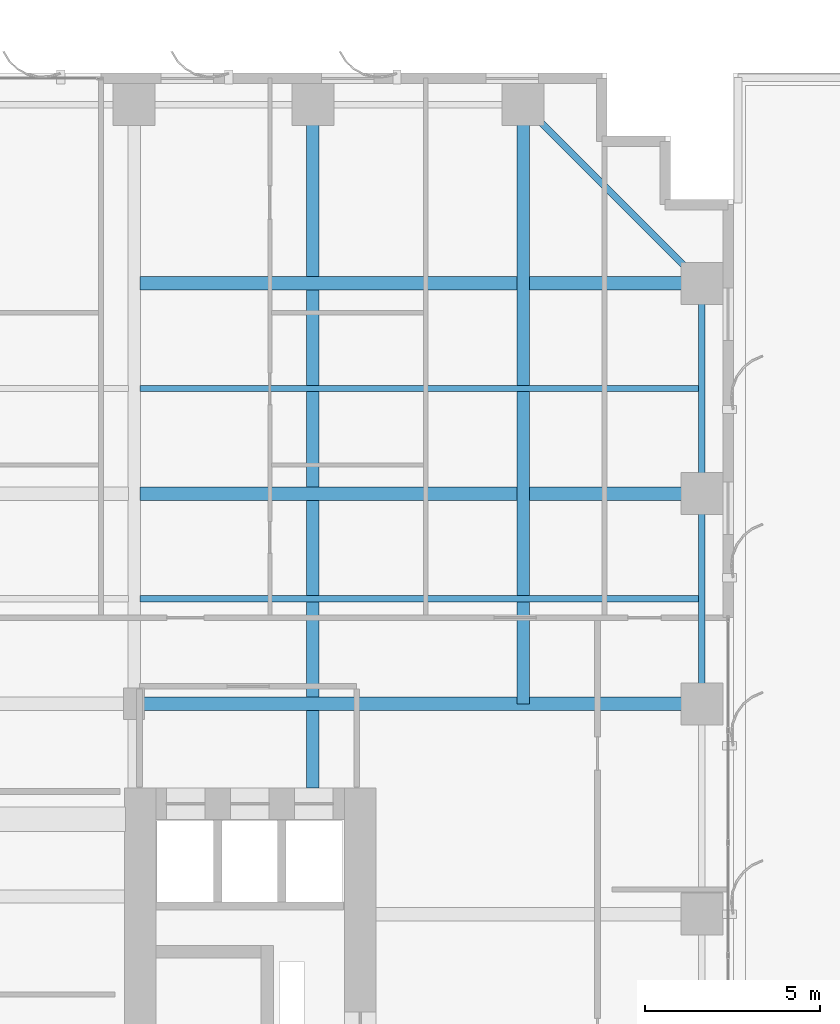
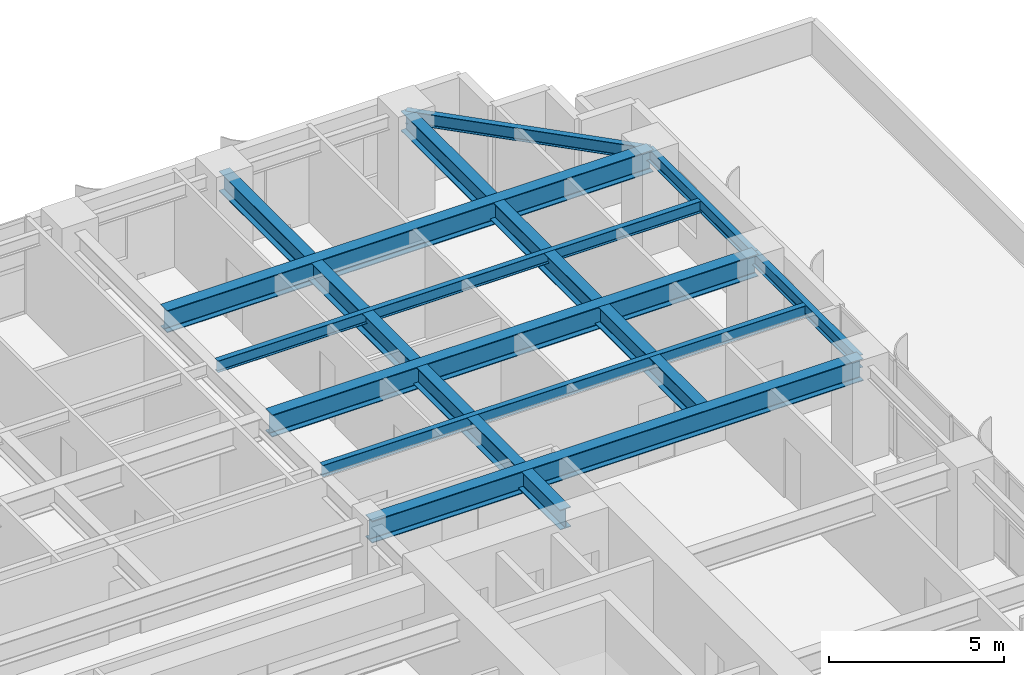
# One storey, part 8 of 21: 10 beams.
"""IFC4 building model written with IfcOpenShell, lengths in metres."""

from ifc_helpers import new_model, si_unit, direction, frame, origin, origin_2d, place, context, subcontext, project, spatial, i_section, extrude, source, transform, mapped, material, material_profile, profile_set, type_object, element, save


model = new_model("IFC4")

# Units and contexts
model_context = context("Model", 3, precision=1e-05, world=origin(), true_north=direction((0.0, 1.0)))
body_context = subcontext(model_context, "Body", "Model", "MODEL_VIEW")
ifc_project = project(units=[si_unit("LENGTHUNIT", "METRE"), si_unit("AREAUNIT", "SQUARE_METRE"), si_unit("VOLUMEUNIT", "CUBIC_METRE"), si_unit("PLANEANGLEUNIT", "RADIAN"), si_unit("MASSUNIT", "GRAM", prefix="KILO")], contexts=[model_context])

# Site, building, storey
site_placement = place(None, origin())
site = spatial("IfcSite", under=ifc_project, at=site_placement, CompositionType="ELEMENT")
building_placement = place(site_placement, origin())
building = spatial("IfcBuilding", under=site, at=building_placement, Name="Khoralis Quay Care Tower", CompositionType="ELEMENT")
storey_placement = place(building_placement, frame((0.0, 0.0, 22.5)))
storey = spatial("IfcBuildingStorey", under=building, at=storey_placement, Name="L05", CompositionType="ELEMENT", Elevation=22.5)

# Beams
ifc_material = material(Name="Steel S355", Category="steel")
ifc_material_profile_1 = material_profile(ifc_material, i_section(OverallWidth=0.18994140625, OverallDepth=0.449951171875, WebThickness=0.009521484375, FlangeThickness=0.0146484375, FilletRadius=0.02099609375, at=origin_2d()), Name="Steel S355")
ifc_profile_set_1 = profile_set([ifc_material_profile_1], Name="Steel S355")
beam_type_1 = type_object("IfcBeamType", Name="BM-IPE450", PredefinedType="SPANDREL", material=ifc_profile_set_1)
shared_shape_1 = source(origin(), body_context, "Body", "SweptSolid", [
    extrude(i_section(OverallWidth=0.18994140625, OverallDepth=0.449951171875, WebThickness=0.009521484375, FlangeThickness=0.0146484375, FilletRadius=0.02099609375, at=origin_2d()), origin(), (0.0, 0.0, 1.0), 6.0),
])
for number, where, z_axis, x_axis, name in (
    (1, (47.10009765625, 30.0, 3.094970703125), (0.0, 1.0, 0.0), (-1.0, 0.0, 0.0), "BM-TSP-L05-23"),
    (2, (47.10009765625, 36.0, 3.094970703125), (0.0, 1.0, 0.0), (-1.0, 0.0, 0.0), "BM-TSP-L05-24"),
):
    element("IfcBeam", number, at=place(storey_placement, frame(where, z_axis=z_axis, x_axis=x_axis)), inside=storey, type_object=beam_type_1, Name=name, PredefinedType="SPANDREL", context=body_context, shape_type="MappedRepresentation", body=[
        mapped(shared_shape_1, transform((0.0, 0.0, 0.0), scale=1.0)),
    ])
shared_shape_2 = source(origin(), body_context, "Body", "SweptSolid", [
    extrude(i_section(OverallWidth=0.18994140625, OverallDepth=0.449951171875, WebThickness=0.009521484375, FlangeThickness=0.0146484375, FilletRadius=0.02099609375, at=origin_2d()), origin(), (0.0, 0.0, 1.0), 7.212646484375),
])
beam_1_placement = place(storey_placement, frame((42.0, 47.10009765625, 3.094970703125), z_axis=(0.707106781187, -0.707106781187, 0.0), x_axis=(0.707106781187, 0.707106781187, 0.0)))
element("IfcBeam", 3, at=beam_1_placement, inside=storey, type_object=beam_type_1, Name="BM-TCR-L05-28", PredefinedType="SPANDREL", context=body_context, shape_type="MappedRepresentation", body=[
    mapped(shared_shape_2, transform((0.0, 0.0, 0.0), scale=1.0)),
])
ifc_material_profile_2 = material_profile(ifc_material, i_section(OverallWidth=0.381103515625, OverallDepth=0.77294921875, WebThickness=0.0166015625, FlangeThickness=0.027587890625, FilletRadius=0.02197265625, at=origin_2d()), Name="Steel S355")
ifc_profile_set_2 = profile_set([ifc_material_profile_2], Name="Steel S355")
beam_type_2 = type_object("IfcBeamType", Name="BM-W760X257", PredefinedType="BEAM", material=ifc_profile_set_2)
shared_shape_3 = source(origin(), body_context, "Body", "SweptSolid", [
    extrude(i_section(OverallWidth=0.381103515625, OverallDepth=0.77294921875, WebThickness=0.0166015625, FlangeThickness=0.027587890625, FilletRadius=0.02197265625, at=origin_2d()), origin(), (0.0, 0.0, 1.0), 16.03466796875),
])
for number, where, z_axis, x_axis, name in (
    (4, (31.0654296875, 36.0, 2.93359375), (1.0, 0.0, 0.0), (0.0, 1.0, 0.0), "BM-TGXE-L05-360"),
    (5, (31.0654296875, 42.0, 2.93359375), (1.0, 0.0, 0.0), (0.0, 1.0, 0.0), "BM-TGXE-L05-420"),
):
    element("IfcBeam", number, at=place(storey_placement, frame(where, z_axis=z_axis, x_axis=x_axis)), inside=storey, type_object=beam_type_2, Name=name, PredefinedType="BEAM", context=body_context, shape_type="MappedRepresentation", body=[
        mapped(shared_shape_3, transform((0.0, 0.0, 0.0), scale=1.0)),
    ])
shared_shape_4 = source(origin(), body_context, "Body", "SweptSolid", [
    extrude(i_section(OverallWidth=0.381103515625, OverallDepth=0.77294921875, WebThickness=0.0166015625, FlangeThickness=0.027587890625, FilletRadius=0.02197265625, at=origin_2d()), origin(), (0.0, 0.0, 1.0), 16.2001953125),
])
beam_2_placement = place(storey_placement, frame((30.89990234375, 30.0, 2.93359375), z_axis=(1.0, 0.0, 0.0), x_axis=(0.0, 1.0, 0.0)))
element("IfcBeam", 6, at=beam_2_placement, inside=storey, type_object=beam_type_2, Name="BM-TGXE-L05-300", PredefinedType="BEAM", context=body_context, shape_type="MappedRepresentation", body=[
    mapped(shared_shape_4, transform((0.0, 0.0, 0.0), scale=1.0)),
])
ifc_material_profile_3 = material_profile(ifc_material, i_section(OverallWidth=0.35498046875, OverallDepth=0.695068359375, WebThickness=0.015380859375, FlangeThickness=0.02490234375, FilletRadius=0.02001953125, at=origin_2d()), Name="Steel S355")
ifc_profile_set_3 = profile_set([ifc_material_profile_3], Name="Steel S355")
beam_type_3 = type_object("IfcBeamType", Name="BM-W690X217", PredefinedType="BEAM", material=ifc_profile_set_3)
shared_shape_5 = source(origin(), body_context, "Body", "SweptSolid", [
    extrude(i_section(OverallWidth=0.35498046875, OverallDepth=0.695068359375, WebThickness=0.015380859375, FlangeThickness=0.02490234375, FilletRadius=0.02001953125, at=origin_2d()), origin(), (0.0, 0.0, 1.0), 17.10009765625),
])
beam_3_placement = place(storey_placement, frame((42.0, 30.0, 2.972412109375), z_axis=(0.0, 1.0, 0.0), x_axis=(-1.0, 0.0, 0.0)))
element("IfcBeam", 7, at=beam_3_placement, inside=storey, type_object=beam_type_3, Name="BM-TGYN-L05-420", PredefinedType="BEAM", context=body_context, shape_type="MappedRepresentation", body=[
    mapped(shared_shape_5, transform((0.0, 0.0, 0.0), scale=1.0)),
])
shared_shape_6 = source(origin(), body_context, "Body", "SweptSolid", [
    extrude(i_section(OverallWidth=0.35498046875, OverallDepth=0.695068359375, WebThickness=0.015380859375, FlangeThickness=0.02490234375, FilletRadius=0.02001953125, at=origin_2d()), origin(), (0.0, 0.0, 1.0), 19.502197265625),
])
beam_4_placement = place(storey_placement, frame((36.0, 27.597900390625, 2.972412109375), z_axis=(0.0, 1.0, 0.0), x_axis=(-1.0, 0.0, 0.0)))
element("IfcBeam", 8, at=beam_4_placement, inside=storey, type_object=beam_type_3, Name="BM-TGYN-L05-360", PredefinedType="BEAM", context=body_context, shape_type="MappedRepresentation", body=[
    mapped(shared_shape_6, transform((0.0, 0.0, 0.0), scale=1.0)),
])
ifc_material_profile_4 = material_profile(ifc_material, i_section(OverallWidth=0.177978515625, OverallDepth=0.406982421875, WebThickness=0.0078125, FlangeThickness=0.0126953125, FilletRadius=0.012939453125, at=origin_2d()), Name="Steel S355")
ifc_profile_set_4 = profile_set([ifc_material_profile_4], Name="Steel S355")
beam_type_4 = type_object("IfcBeamType", Name="BM-W410X60", PredefinedType="JOIST", material=ifc_profile_set_4)
shared_shape_7 = source(origin(), body_context, "Body", "SweptSolid", [
    extrude(i_section(OverallWidth=0.177978515625, OverallDepth=0.406982421875, WebThickness=0.0078125, FlangeThickness=0.0126953125, FilletRadius=0.012939453125, at=origin_2d()), origin(), (0.0, 0.0, 1.0), 15.95361328125),
])
for number, where, z_axis, x_axis, name in (
    (9, (31.0654296875, 33.0, 3.116455078125), (1.0, 0.0, 0.0), (0.0, 1.0, 0.0), "BM-TJS-L05-33"),
    (10, (31.0654296875, 39.0, 3.116455078125), (1.0, 0.0, 0.0), (0.0, 1.0, 0.0), "BM-TJS-L05-36"),
):
    element("IfcBeam", number, at=place(storey_placement, frame(where, z_axis=z_axis, x_axis=x_axis)), inside=storey, type_object=beam_type_4, Name=name, PredefinedType="JOIST", context=body_context, shape_type="MappedRepresentation", body=[
        mapped(shared_shape_7, transform((0.0, 0.0, 0.0), scale=1.0)),
    ])

save(model, "model.ifc")
